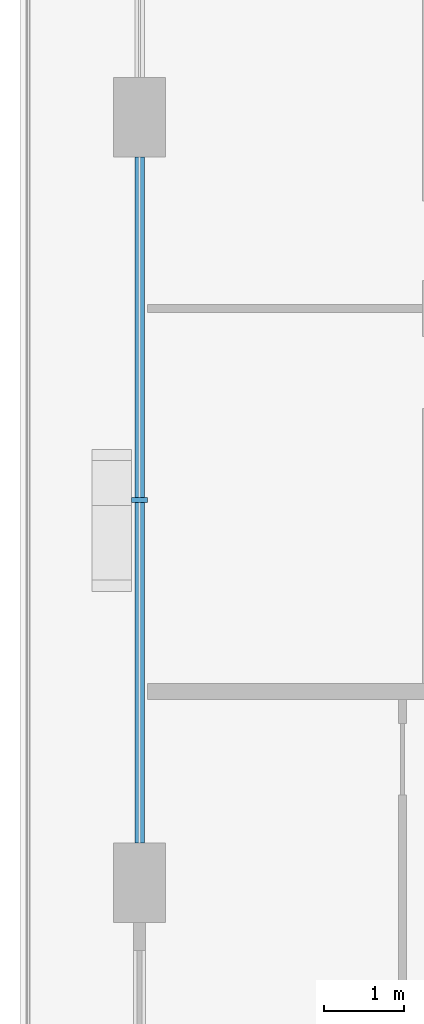
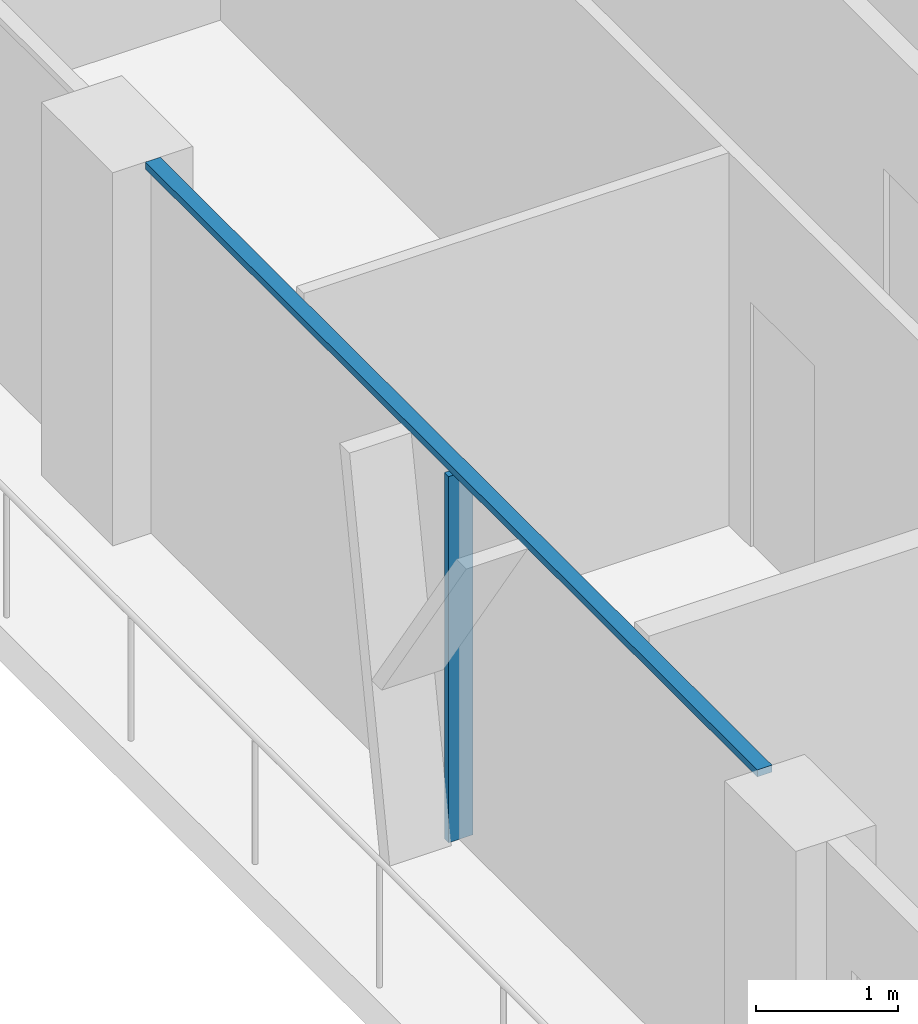
# One storey, part 3 of 21: 2 members, 1 element without a shape of its own.
"""IFC4 building model written with IfcOpenShell, lengths in metres."""

from ifc_helpers import new_model, si_unit, direction, frame, origin, origin_2d, place, context, subcontext, project, spatial, rectangle, extrude, material, layer, layer_set, material_profile, profile_set, type_object, element, aggregate, save


model = new_model("IFC4")

# Units and contexts
model_context = context("Model", 3, precision=1e-05, world=origin(), true_north=direction((0.0, 1.0)))
body_context = subcontext(model_context, "Body", "Model", "MODEL_VIEW")
ifc_project = project(units=[si_unit("LENGTHUNIT", "METRE"), si_unit("AREAUNIT", "SQUARE_METRE"), si_unit("VOLUMEUNIT", "CUBIC_METRE"), si_unit("PLANEANGLEUNIT", "RADIAN"), si_unit("MASSUNIT", "GRAM", prefix="KILO")], contexts=[model_context])

# Site, building, storey
site_placement = place(None, origin())
site = spatial("IfcSite", under=ifc_project, at=site_placement, CompositionType="ELEMENT")
building_placement = place(site_placement, origin())
building = spatial("IfcBuilding", under=site, at=building_placement, Name="Madar Terraces", CompositionType="ELEMENT")
storey_placement = place(building_placement, frame((0.0, 0.0, 185.89990234375)))
storey = spatial("IfcBuildingStorey", under=building, at=storey_placement, Name="L48", CompositionType="ELEMENT", Elevation=185.89990234375)

# Curtain wall, members
ifc_material_1 = material(Name="Glass, ceramic frit dark grey, with black aluminium frame", Category="aluminium")
ifc_layer = layer(ifc_material_1, 0.199951171875)
ifc_layer_set = layer_set([ifc_layer], Name="Facade curtain wall, fritted glass")
curtain_wall_type = type_object("IfcCurtainWallType", Name="Facade curtain wall, fritted glass", PredefinedType="NOTDEFINED", material=ifc_layer_set)
curtain_wall_placement = place(storey_placement, origin())
curtain_wall = element("IfcCurtainWall", 1, at=curtain_wall_placement, inside=storey, type_object=curtain_wall_type, Name="Outer skin curtain wall west bay 2", PredefinedType="NOTDEFINED")
ifc_material_2 = material(Name="Aluminium, black anodised", Category="aluminium")
ifc_material_profile_1 = material_profile(ifc_material_2, rectangle(XDim=0.199951171875, YDim=0.06005859375, at=origin_2d()), Name="Facade mullion 60x200")
ifc_profile_set_1 = profile_set([ifc_material_profile_1], Name="Aluminium, black anodised")
member_type_1 = type_object("IfcMemberType", Name="Facade mullion 60x200", PredefinedType="MULLION", material=ifc_profile_set_1)
member_1_placement = place(storey_placement, frame((4.800048828125, 28.800048828125, 0.0), z_axis=(0.0, 0.0, 1.0), x_axis=(1.0, 0.0, 0.0)))
member_1 = element("IfcMember", 2, at=member_1_placement, type_object=member_type_1, Name="Mullion 1", PredefinedType="MULLION", context=body_context, shape_type="SweptSolid", body=[
    extrude(rectangle(XDim=0.199951171875, YDim=0.06005859375, at=origin_2d()), origin(), (0.0, 0.0, 1.0), 3.14013671875),
])
ifc_material_3 = material(Name="Aluminium, black anodised", Category="aluminium")
ifc_material_profile_2 = material_profile(ifc_material_3, rectangle(XDim=0.1201171875, YDim=0.06005859375, at=origin_2d()), Name="Facade transom 60x120")
ifc_profile_set_2 = profile_set([ifc_material_profile_2], Name="Aluminium, black anodised")
member_type_2 = type_object("IfcMemberType", Name="Facade transom 60x120", PredefinedType="USERDEFINED", material=ifc_profile_set_2)
member_2_placement = place(storey_placement, frame((4.800048828125, 33.10009765625, 3.170166015625), z_axis=(0.0, -1.0, 0.0), x_axis=(1.0, 0.0, 0.0)))
member_2 = element("IfcMember", 3, at=member_2_placement, type_object=member_type_2, Name="Transom 1", ObjectType="TRANSOM", PredefinedType="USERDEFINED", context=body_context, shape_type="SweptSolid", body=[
    extrude(rectangle(XDim=0.1201171875, YDim=0.06005859375, at=origin_2d()), origin(), (0.0, 0.0, 1.0), 8.60009765625),
])
aggregate(curtain_wall, [member_1, member_2])

save(model, "model.ifc")
